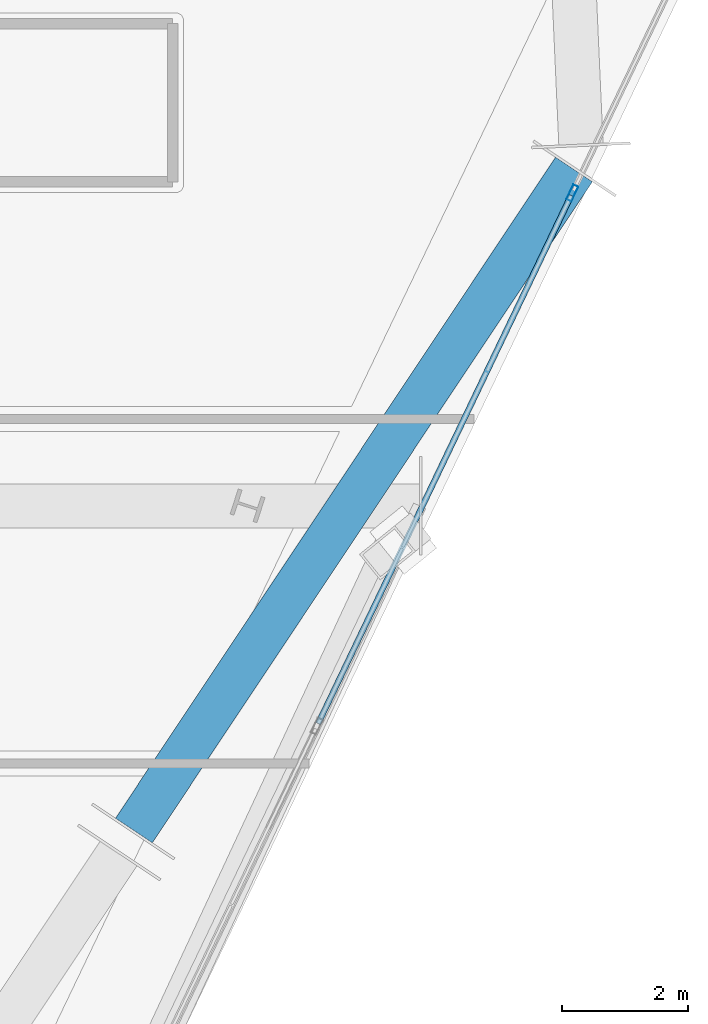
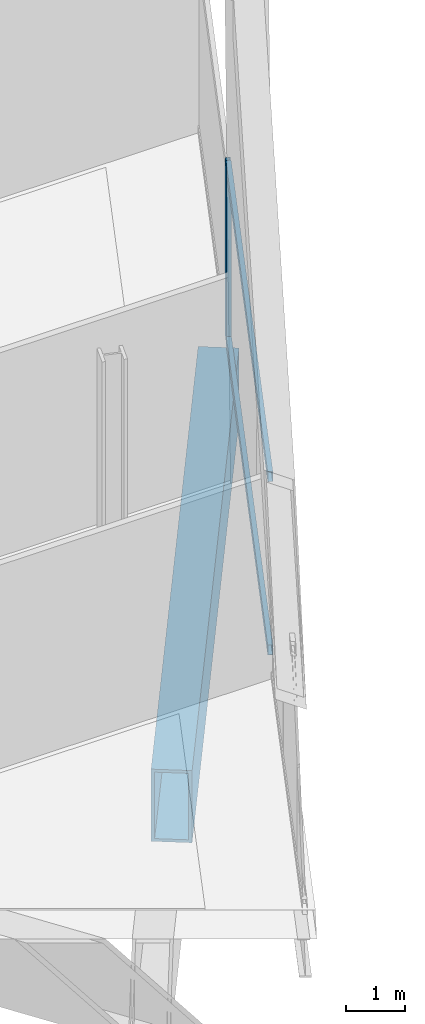
# One storey, part 8 of 24: 3 members, 1 beam, 1 element without a shape of its own.
"""IFC4 building model written with IfcOpenShell, lengths in metres."""

from ifc_helpers import new_model, si_unit, direction, frame, origin, origin_2d, place, context, subcontext, project, spatial, hollow_rectangle, extrude, material, material_profile, profile_set, type_object, element, aggregate, save


model = new_model("IFC4")

# Units and contexts
model_context = context("Model", 3, precision=1e-05, world=origin(), true_north=direction((0.0, 1.0)))
body_context = subcontext(model_context, "Body", "Model", "MODEL_VIEW")
ifc_project = project(units=[si_unit("LENGTHUNIT", "METRE"), si_unit("AREAUNIT", "SQUARE_METRE"), si_unit("VOLUMEUNIT", "CUBIC_METRE"), si_unit("PLANEANGLEUNIT", "RADIAN"), si_unit("MASSUNIT", "GRAM", prefix="KILO")], contexts=[model_context])

# Site, building, storey
site_placement = place(None, origin())
site = spatial("IfcSite", under=ifc_project, at=site_placement, CompositionType="ELEMENT")
building_placement = place(site_placement, origin())
building = spatial("IfcBuilding", under=site, at=building_placement, Name="Haldenkirk Collegiate Tower", CompositionType="ELEMENT")
storey_placement = place(building_placement, frame((0.0, 0.0, 244.199951171875)))
storey = spatial("IfcBuildingStorey", under=building, at=storey_placement, Name="L61", CompositionType="ELEMENT", Elevation=244.199951171875)

# Beam
ifc_material_1 = material(Name="Steel ASTM A572 Grade 50", Category="steel")
ifc_material_profile_1 = material_profile(ifc_material_1, hollow_rectangle(XDim=0.699951171875, YDim=1.5, WallThickness=0.06005859375, at=origin_2d()), Name="BOX1500X700X60")
ifc_profile_set_1 = profile_set([ifc_material_profile_1], Name="Steel ASTM A572 Grade 50")
beam_type = type_object("IfcBeamType", Name="BM-TRANSFER-BOX1500X700X60", PredefinedType="BEAM", material=ifc_profile_set_1)
beam_placement = place(storey_placement, frame((53.6845703125, 14.48876953125, -1.14990234375), z_axis=(0.554125989098, 0.832432813028, 0.0), x_axis=(-0.832432813028, 0.554125989098, 0.0)))
element("IfcBeam", 1, at=beam_placement, inside=storey, type_object=beam_type, Name="L61 sky-lobby perimeter transfer girder 03", PredefinedType="BEAM", context=body_context, shape_type="SweptSolid", body=[
    extrude(hollow_rectangle(XDim=0.699951171875, YDim=1.5, WallThickness=0.06005859375, at=origin_2d()), origin(), (0.0, 0.0, 1.0), 12.56201171875),
])

# Curtain wall, members
ifc_material_2 = material(Name="Anodised architectural bronze aluminium", Category="aluminium")
curtain_wall_type = type_object("IfcCurtainWallType", Name="CW-SYS4-SKYGARDEN", PredefinedType="USERDEFINED", material=ifc_material_2)
curtain_wall_placement = place(storey_placement, origin())
curtain_wall = element("IfcCurtainWall", 2, at=curtain_wall_placement, inside=storey, type_object=curtain_wall_type, Name="L61 Sky-garden tall bronze curtain wall", ObjectType="UNITISED CURTAIN WALL", PredefinedType="USERDEFINED")
ifc_material_profile_2 = material_profile(ifc_material_2, hollow_rectangle(XDim=0.090087890625, YDim=0.260009765625, WallThickness=0.0048828125, at=origin_2d()), Name="CW-MUL-04")
ifc_profile_set_2 = profile_set([ifc_material_profile_2], Name="Anodised architectural bronze aluminium")
member_type_1 = type_object("IfcMemberType", Name="CW-MUL-04", PredefinedType="MULLION", material=ifc_profile_set_2)
member_1_placement = place(storey_placement, frame((60.619873046875, 24.572021484375, 0.0), z_axis=(0.0, 0.0, 1.0), x_axis=(0.901833958331, -0.43208276013, 0.0)))
member_1 = element("IfcMember", 3, at=member_1_placement, type_object=member_type_1, Name="CW-04 mullion 2", PredefinedType="MULLION", context=body_context, shape_type="SweptSolid", body=[
    extrude(hollow_rectangle(XDim=0.090087890625, YDim=0.260009765625, WallThickness=0.0048828125, at=origin_2d()), origin(), (0.0, 0.0, 1.0), 3.68798828125),
])
ifc_material_profile_3 = material_profile(ifc_material_2, hollow_rectangle(XDim=0.090087890625, YDim=0.2099609375, WallThickness=0.0048828125, at=origin_2d()), Name="CW-TRN-04")
ifc_profile_set_3 = profile_set([ifc_material_profile_3], Name="Anodised architectural bronze aluminium")
member_type_2 = type_object("IfcMemberType", Name="CW-TRN-04", PredefinedType="USERDEFINED", material=ifc_profile_set_3)
member_2_placement = place(storey_placement, frame((60.600341796875, 24.53125, 0.045166015625), z_axis=(-0.432079528752, -0.901835506527, 0.0), x_axis=(0.901835506527, -0.432079528752, 0.0)))
member_2 = element("IfcMember", 4, at=member_2_placement, type_object=member_type_2, Name="CW-04 transom 2.1", ObjectType="TRANSOM", PredefinedType="USERDEFINED", context=body_context, shape_type="SweptSolid", body=[
    extrude(hollow_rectangle(XDim=0.090087890625, YDim=0.2099609375, WallThickness=0.0048828125, at=origin_2d()), origin(), (0.0, 0.0, 1.0), 9.259765625),
])
member_3_placement = place(storey_placement, frame((60.600341796875, 24.53125, 3.64306640625), z_axis=(-0.432079528752, -0.901835506527, 0.0), x_axis=(0.901835506527, -0.432079528752, 0.0)))
member_3 = element("IfcMember", 5, at=member_3_placement, type_object=member_type_2, Name="CW-04 transom 2.2", ObjectType="TRANSOM", PredefinedType="USERDEFINED", context=body_context, shape_type="SweptSolid", body=[
    extrude(hollow_rectangle(XDim=0.090087890625, YDim=0.2099609375, WallThickness=0.0048828125, at=origin_2d()), origin(), (0.0, 0.0, 1.0), 9.259765625),
])
aggregate(curtain_wall, [member_1, member_2, member_3])

save(model, "model.ifc")
